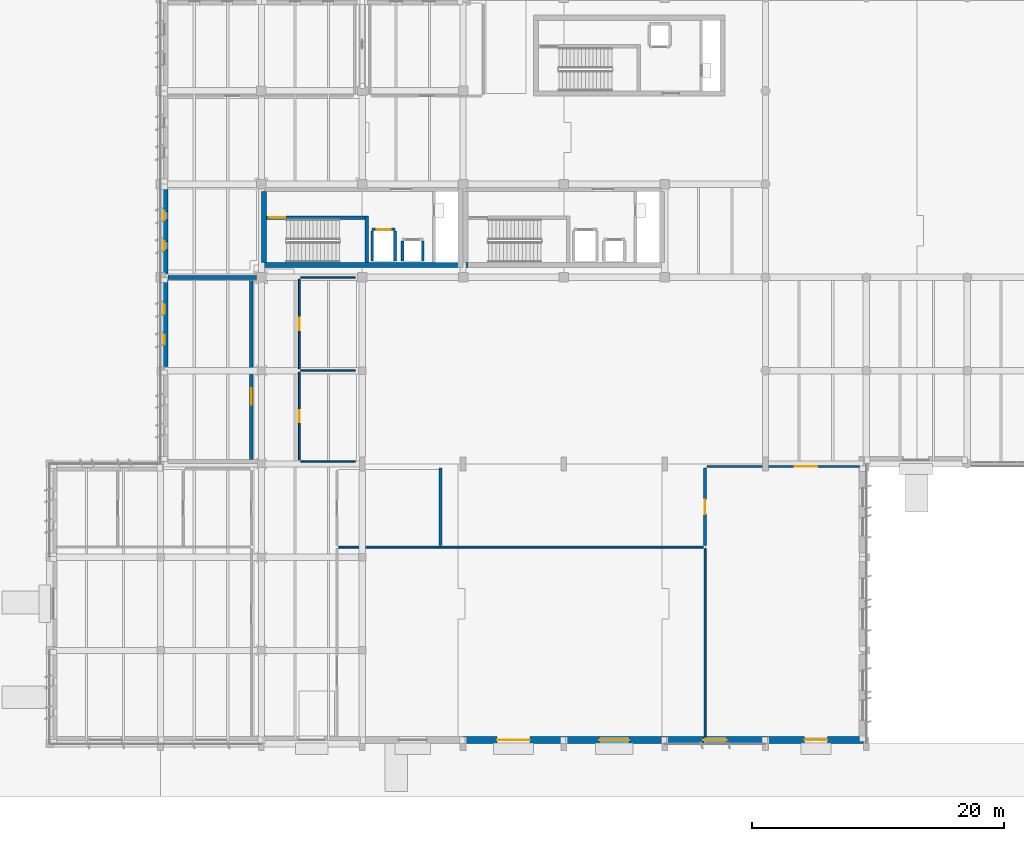
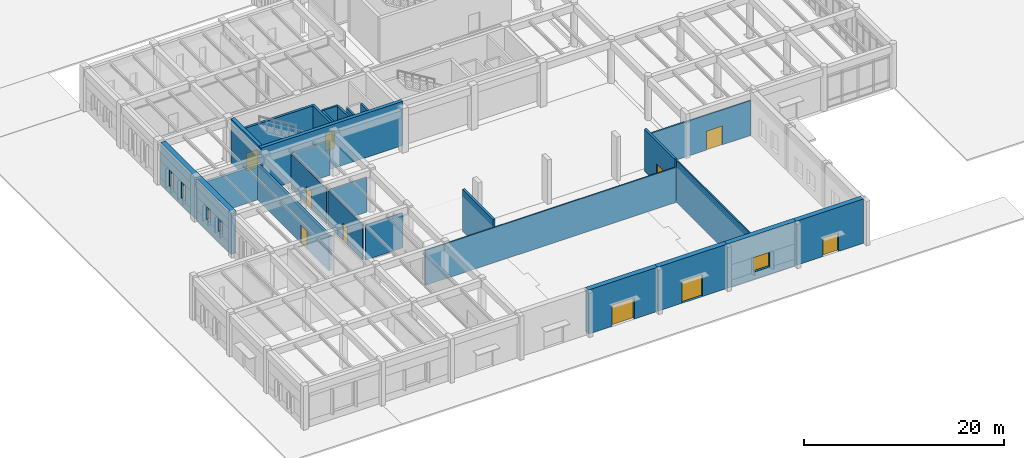
# One storey, part 17 of 56: 27 walls, 10 doors, 5 windows, 15 openings.
"""IFC4 building model written with IfcOpenShell, lengths in metres."""

from ifc_helpers import new_model, si_unit, direction, frame, frame_2d, origin, place, context, subcontext, project, spatial, rectangle, extrude, material, layer, layer_set, type_object, element, fill, save


model = new_model("IFC4")

# Units and contexts
model_context = context("Model", 3, precision=1e-05, world=origin(), true_north=direction((0.0, 1.0)))
body_context = subcontext(model_context, "Body", "Model", "MODEL_VIEW")
ifc_project = project(units=[si_unit("LENGTHUNIT", "METRE"), si_unit("AREAUNIT", "SQUARE_METRE"), si_unit("VOLUMEUNIT", "CUBIC_METRE"), si_unit("PLANEANGLEUNIT", "RADIAN"), si_unit("MASSUNIT", "GRAM", prefix="KILO")], contexts=[model_context])

# Site, building, storey
site_placement = place(None, origin())
site = spatial("IfcSite", under=ifc_project, at=site_placement, CompositionType="ELEMENT")
building_placement = place(site_placement, origin())
building = spatial("IfcBuilding", under=site, at=building_placement, Name="Valkorina Park Police Headquarters", CompositionType="ELEMENT")
storey_placement = place(building_placement, origin())
storey = spatial("IfcBuildingStorey", under=building, at=storey_placement, Name="L01", CompositionType="ELEMENT", Elevation=0.0)

# Walls
ifc_material_1 = material(Name="Acoustic mineral board")
ifc_layer_1 = layer(ifc_material_1, 0.14990234375)
ifc_layer_set_1 = layer_set([ifc_layer_1], Name="Acoustic mineral board")
wall_type_1 = type_object("IfcWallType", Name="WL-ACOUST-150-EI30", PredefinedType="PARTITIONING", material=ifc_layer_set_1)
wall_1_placement = place(storey_placement, frame((22.93994140625, 15.60009765625, 0.0), z_axis=(0.0, 0.0, 1.0), x_axis=(1.0, 0.0, 0.0)))
element("IfcWall", 1, at=wall_1_placement, inside=storey, type_object=wall_type_1, Name="L01 Interior Partition 0045 (L01-PUB-01)", PredefinedType="PARTITIONING", context=body_context, shape_type="SweptSolid", body=[
    extrude(rectangle(XDim=28.920166015625, YDim=0.14990234375, at=frame_2d((14.4599609375, 0.0))), origin(), (0.0, 0.0, 1.0), 4.27001953125),
])
wall_2_placement = place(storey_placement, frame((52.0, 0.5400390625, 0.0), z_axis=(0.0, 0.0, 1.0), x_axis=(0.0, 1.0, 0.0)))
element("IfcWall", 2, at=wall_2_placement, inside=storey, type_object=wall_type_1, Name="L01 Interior Partition 0047 (L01-PUB-01)", PredefinedType="PARTITIONING", context=body_context, shape_type="SweptSolid", body=[
    extrude(rectangle(XDim=14.919921875, YDim=0.14990234375, at=frame_2d((7.4599609375, 0.0))), origin(), (0.0, 0.0, 1.0), 5.139892578125),
])

# Wall, opening, door
ifc_layer_2 = layer(ifc_material_1, 0.175048828125)
ifc_layer_set_2 = layer_set([ifc_layer_2], Name="Acoustic mineral board")
wall_type_2 = type_object("IfcWallType", Name="WL-BRIEF-175-EI60", PredefinedType="PARTITIONING", material=ifc_layer_set_2)
wall_3_placement = place(storey_placement, frame((52.139892578125, 22.0, 0.0), z_axis=(0.0, 0.0, 1.0), x_axis=(1.0, 0.0, 0.0)))
wall_3 = element("IfcWall", 3, at=wall_3_placement, inside=storey, type_object=wall_type_2, Name="L01 Interior Partition 0050 (L01-PUB-03)", PredefinedType="PARTITIONING", context=body_context, shape_type="SweptSolid", body=[
    extrude(rectangle(XDim=12.1201171875, YDim=0.175048828125, at=frame_2d((6.06005859375, 0.0))), origin(), (0.0, 0.0, 1.0), 4.27001953125),
])
opening_1_placement = place(wall_3_placement, frame((6.97802734375, 0.0, 0.0)))
opening_1 = element("IfcOpeningElement", 4, at=opening_1_placement, cuts=wall_3, Name="Opening ID-09", PredefinedType="OPENING", context=body_context, shape_type="SweptSolid", body=[
    extrude(rectangle(XDim=1.800048828125, YDim=2.300048828125, at=frame_2d((0.89990234375, 1.14990234375))), frame((0.0, 0.09765625, 0.0), z_axis=(0.0, -1.0, 0.0), x_axis=(1.0, 0.0, 0.0)), (0.0, 0.0, 1.0), 0.195068359375),
])
ifc_material_2 = material(Name="Thermally broken aluminium AW-6060", Category="aluminium")
ifc_layer_3 = layer(ifc_material_2, 0.050048828125)
ifc_layer_set_3 = layer_set([ifc_layer_3], Name="Thermally broken aluminium AW-6060")
door_type_1 = type_object("IfcDoorType", Name="DR-INT-AUD-1800x2300", OperationType="NOTDEFINED", PredefinedType="DOOR", material=ifc_layer_set_3)
door_1_placement = place(opening_1_placement, origin())
door_1 = element("IfcDoor", 5, at=door_1_placement, inside=storey, type_object=door_type_1, Name="Door D-L01-I020 (L01-PUB-03)", OperationType="DOUBLE_DOOR_SINGLE_SWING", OverallHeight=2.300048828125, OverallWidth=1.800048828125, PredefinedType="DOOR", context=body_context, shape_type="SweptSolid", body=[
    extrude(rectangle(XDim=1.800048828125, YDim=2.300048828125, at=frame_2d((0.89990234375, 1.14990234375))), frame((0.0, 0.02490234375, 0.0), z_axis=(0.0, -1.0, 0.0), x_axis=(1.0, 0.0, 0.0)), (0.0, 0.0, 1.0), 0.050048828125),
])
fill(opening_1, door_1)

ifc_material_3 = material(Name="Autoclaved aerated concrete masonry", Category="masonry")
ifc_layer_4 = layer(ifc_material_3, 0.219970703125)
ifc_layer_set_4 = layer_set([ifc_layer_4], Name="Autoclaved aerated concrete masonry")
wall_type_3 = type_object("IfcWallType", Name="WL-CHASE-220-EI60", PredefinedType="PLUMBINGWALL", material=ifc_layer_set_4)
wall_4_placement = place(storey_placement, frame((25.590087890625, 40.81005859375, 0.0), z_axis=(0.0, 0.0, 1.0), x_axis=(1.0, 0.0, 0.0)))
wall_4 = element("IfcWall", 6, at=wall_4_placement, inside=storey, type_object=wall_type_3, Name="Lift LF-01 L01 Shaft Front Wall", PredefinedType="PLUMBINGWALL", context=body_context, shape_type="SweptSolid", body=[
    extrude(rectangle(XDim=1.81982421875, YDim=0.219970703125, at=frame_2d((0.909912109375, 0.0))), origin(), (0.0, 0.0, 1.0), 5.139892578125),
])
opening_2_placement = place(wall_4_placement, frame((0.360107421875, 0.0, 0.0)))
opening_2 = element("IfcOpeningElement", 7, at=opening_2_placement, cuts=wall_4, Name="Opening LD-01", PredefinedType="OPENING", context=body_context, shape_type="SweptSolid", body=[
    extrude(rectangle(XDim=1.10009765625, YDim=2.199951171875, at=frame_2d((0.550048828125, 1.10009765625))), frame((0.0, 0.1201171875, 0.0), z_axis=(0.0, -1.0, 0.0), x_axis=(1.0, 0.0, 0.0)), (0.0, 0.0, 1.0), 0.239990234375),
])
ifc_material_4 = material(Name="Stainless steel EN 1.4404", Category="steel")
ifc_layer_5 = layer(ifc_material_4, 0.050048828125)
ifc_layer_set_5 = layer_set([ifc_layer_5], Name="Stainless steel EN 1.4404")
door_type_2 = type_object("IfcDoorType", Name="DR-LIFT-FF-1100x2200", OperationType="NOTDEFINED", PredefinedType="DOOR", material=ifc_layer_set_5)
door_2_placement = place(opening_2_placement, origin())
door_2 = element("IfcDoor", 8, at=door_2_placement, inside=storey, type_object=door_type_2, Name="Lift Landing Door LF-01-L01", OperationType="DOUBLE_DOOR_SLIDING", OverallHeight=2.199951171875, OverallWidth=1.10009765625, PredefinedType="DOOR", context=body_context, shape_type="SweptSolid", body=[
    extrude(rectangle(XDim=1.10009765625, YDim=2.199951171875, at=frame_2d((0.550048828125, 1.10009765625))), frame((0.0, 0.02490234375, 0.0), z_axis=(0.0, -1.0, 0.0), x_axis=(1.0, 0.0, 0.0)), (0.0, 0.0, 1.0), 0.050048828125),
])
fill(opening_2, door_2)

# Walls
for number, where, z_axis, x_axis, name in (
    (9, (25.590087890625, 38.300048828125, 0.0), (0.0, 0.0, 1.0), (0.0, 1.0, 0.0), "Lift LF-01 L01 Shaft Side Wall W"),
    (10, (27.409912109375, 38.300048828125, 0.0), (0.0, 0.0, 1.0), (0.0, 1.0, 0.0), "Lift LF-01 L01 Shaft Side Wall E"),
):
    element("IfcWall", number, at=place(storey_placement, frame(where, z_axis=z_axis, x_axis=x_axis)), inside=storey, type_object=wall_type_3, Name=name, PredefinedType="PLUMBINGWALL", context=body_context, shape_type="SweptSolid", body=[
        extrude(rectangle(XDim=2.39990234375, YDim=0.219970703125, at=frame_2d((1.199951171875, 0.0))), origin(), (0.0, 0.0, 1.0), 5.139892578125),
    ])
for number, where, z_axis, x_axis, name in (
    (11, (27.989990234375, 38.300048828125, 0.0), (0.0, 0.0, 1.0), (0.0, 1.0, 0.0), "Lift LF-03 L01 Shaft Side Wall W"),
    (12, (29.610107421875, 38.300048828125, 0.0), (0.0, 0.0, 1.0), (0.0, 1.0, 0.0), "Lift LF-03 L01 Shaft Side Wall E"),
):
    element("IfcWall", number, at=place(storey_placement, frame(where, z_axis=z_axis, x_axis=x_axis)), inside=storey, type_object=wall_type_3, Name=name, PredefinedType="PLUMBINGWALL", context=body_context, shape_type="SweptSolid", body=[
        extrude(rectangle(XDim=1.599853515625, YDim=0.219970703125, at=frame_2d((0.7998046875, 0.0))), origin(), (0.0, 0.0, 1.0), 5.139892578125),
    ])
ifc_material_5 = material(Name="Concrete C40/50", Category="concrete")
ifc_layer_6 = layer(ifc_material_5, 0.300048828125)
ifc_layer_set_6 = layer_set([ifc_layer_6], Name="Concrete C40/50")
wall_type_4 = type_object("IfcWallType", Name="WL-CORE-300-REI120", PredefinedType="SHEAR", material=ifc_layer_set_6)
wall_5_placement = place(storey_placement, frame((9.3798828125, 37.0, 0.0), z_axis=(0.0, 0.0, 1.0), x_axis=(1.0, 0.0, 0.0)))
element("IfcWall", 13, at=wall_5_placement, inside=storey, type_object=wall_type_4, Name="L01 Interior Partition 0062 (L01-FCC-01)", PredefinedType="SHEAR", context=body_context, shape_type="SweptSolid", body=[
    extrude(rectangle(XDim=7.044921875, YDim=0.300048828125, at=frame_2d((3.5224609375, 0.0))), origin(), (0.0, 0.0, 1.0), 4.27001953125),
])

# Wall, opening, door
wall_6_placement = place(storey_placement, frame((16.0, 22.550048828125, 0.0), z_axis=(0.0, 0.0, 1.0), x_axis=(0.0, 1.0, 0.0)))
wall_6 = element("IfcWall", 14, at=wall_6_placement, inside=storey, type_object=wall_type_4, Name="L01 Interior Partition 0063 (L01-FCC-01)", PredefinedType="SHEAR", context=body_context, shape_type="SweptSolid", body=[
    extrude(rectangle(XDim=14.300048828125, YDim=0.300048828125, at=frame_2d((7.14990234375, 0.0))), origin(), (0.0, 0.0, 1.0), 4.27001953125),
])
opening_3_placement = place(wall_6_placement, frame((4.35205078125, 0.0, 0.0)))
opening_3 = element("IfcOpeningElement", 15, at=opening_3_placement, cuts=wall_6, Name="Opening FD-03", PredefinedType="OPENING", context=body_context, shape_type="SweptSolid", body=[
    extrude(rectangle(XDim=1.300048828125, YDim=2.199951171875, at=frame_2d((0.64990234375, 1.10009765625))), frame((0.0, 0.16015625, 0.0), z_axis=(0.0, -1.0, 0.0), x_axis=(1.0, 0.0, 0.0)), (0.0, 0.0, 1.0), 0.320068359375),
])
ifc_material_6 = material(Name="Galvanized steel door leaf", Category="steel")
ifc_layer_7 = layer(ifc_material_6, 0.050048828125)
ifc_layer_set_7 = layer_set([ifc_layer_7], Name="Galvanized steel door leaf")
door_type_3 = type_object("IfcDoorType", Name="DR-FIRE-STAIR-1300x2200", OperationType="NOTDEFINED", PredefinedType="DOOR", material=ifc_layer_set_7)
door_3_placement = place(opening_3_placement, origin())
door_3 = element("IfcDoor", 16, at=door_3_placement, inside=storey, type_object=door_type_3, Name="Door D-L01-I027 (L01-FCC-01)", OperationType="SINGLE_SWING_RIGHT", OverallHeight=2.199951171875, OverallWidth=1.300048828125, PredefinedType="DOOR", context=body_context, shape_type="SweptSolid", body=[
    extrude(rectangle(XDim=1.300048828125, YDim=2.199951171875, at=frame_2d((0.64990234375, 1.10009765625))), frame((0.0, 0.02490234375, 0.0), z_axis=(0.0, -1.0, 0.0), x_axis=(1.0, 0.0, 0.0)), (0.0, 0.0, 1.0), 0.050048828125),
])
fill(opening_3, door_3)

# Walls
ifc_layer_8 = layer(ifc_material_5, 0.39990234375)
ifc_layer_set_8 = layer_set([ifc_layer_8], Name="Concrete C40/50")
wall_type_5 = type_object("IfcWallType", Name="WL-CORE-400-REI180", PredefinedType="SHEAR", material=ifc_layer_set_8)
wall_7_placement = place(storey_placement, frame((16.800048828125, 38.0, 0.0), z_axis=(0.0, 0.0, 1.0), x_axis=(1.0, 0.0, 0.0)))
element("IfcWall", 17, at=wall_7_placement, inside=storey, type_object=wall_type_5, Name="Core C1 L01 Shear Wall S", PredefinedType="SHEAR", context=body_context, shape_type="SweptSolid", body=[
    extrude(rectangle(XDim=16.39990234375, YDim=0.39990234375, at=frame_2d((8.199951171875, 0.0))), origin(), (0.0, 0.0, 1.0), 5.39501953125),
])
wall_8_placement = place(storey_placement, frame((17.0, 38.199951171875, 0.0), z_axis=(0.0, 0.0, 1.0), x_axis=(0.0, 1.0, 0.0)))
element("IfcWall", 18, at=wall_8_placement, inside=storey, type_object=wall_type_5, Name="Core C1 L01 Shear Wall W", PredefinedType="SHEAR", context=body_context, shape_type="SweptSolid", body=[
    extrude(rectangle(XDim=5.60009765625, YDim=0.39990234375, at=frame_2d((2.800048828125, 0.0))), origin(), (0.0, 0.0, 1.0), 5.39501953125),
])
ifc_layer_9 = layer(ifc_material_5, 0.25)
ifc_layer_set_9 = layer_set([ifc_layer_9], Name="Concrete C40/50")
wall_type_6 = type_object("IfcWallType", Name="WL-CUST-250-REI120", PredefinedType="SOLIDWALL", material=ifc_layer_set_9)
wall_9_placement = place(storey_placement, frame((31.0, 15.739990234375, 0.0), z_axis=(0.0, 0.0, 1.0), x_axis=(0.0, 1.0, 0.0)))
element("IfcWall", 19, at=wall_9_placement, inside=storey, type_object=wall_type_6, Name="L01 Interior Partition 0048 (L01-PUB-02)", PredefinedType="SOLIDWALL", context=body_context, shape_type="SweptSolid", body=[
    extrude(rectangle(XDim=6.1201171875, YDim=0.25, at=frame_2d((3.06005859375, 0.0))), origin(), (0.0, 0.0, 1.0), 5.139892578125),
])

# Wall, opening, door
wall_10_placement = place(storey_placement, frame((52.0, 15.739990234375, 0.0), z_axis=(0.0, 0.0, 1.0), x_axis=(0.0, 1.0, 0.0)))
wall_10 = element("IfcWall", 20, at=wall_10_placement, inside=storey, type_object=wall_type_6, Name="L01 Interior Partition 0049 (L01-PUB-02)", PredefinedType="SOLIDWALL", context=body_context, shape_type="SweptSolid", body=[
    extrude(rectangle(XDim=6.1201171875, YDim=0.25, at=frame_2d((3.06005859375, 0.0))), origin(), (0.0, 0.0, 1.0), 5.139892578125),
])
opening_4_placement = place(wall_10_placement, frame((2.485107421875, 0.0, 0.0)))
opening_4 = element("IfcOpeningElement", 21, at=opening_4_placement, cuts=wall_10, Name="Opening FD-10", PredefinedType="OPENING", context=body_context, shape_type="SweptSolid", body=[
    extrude(rectangle(XDim=1.14990234375, YDim=2.35009765625, at=frame_2d((0.574951171875, 1.175048828125))), frame((0.0, 0.135009765625, 0.0), z_axis=(0.0, -1.0, 0.0), x_axis=(1.0, 0.0, 0.0)), (0.0, 0.0, 1.0), 0.27001953125),
])
ifc_material_7 = material(Name="Ballistic laminated glazing BR4-NS", Category="glass")
ifc_layer_10 = layer(ifc_material_7, 0.050048828125)
ifc_layer_set_10 = layer_set([ifc_layer_10], Name="Ballistic laminated glazing BR4-NS")
door_type_4 = type_object("IfcDoorType", Name="DR-BALLISTIC-1150x2350", OperationType="NOTDEFINED", PredefinedType="DOOR", material=ifc_layer_set_10)
door_4_placement = place(opening_4_placement, origin())
door_4 = element("IfcDoor", 22, at=door_4_placement, inside=storey, type_object=door_type_4, Name="Door D-L01-I019 (L01-PUB-02)", OperationType="SINGLE_SWING_RIGHT", OverallHeight=2.35009765625, OverallWidth=1.14990234375, PredefinedType="DOOR", context=body_context, shape_type="SweptSolid", body=[
    extrude(rectangle(XDim=1.14990234375, YDim=2.35009765625, at=frame_2d((0.574951171875, 1.175048828125))), frame((0.0, 0.02490234375, 0.0), z_axis=(0.0, -1.0, 0.0), x_axis=(1.0, 0.0, 0.0)), (0.0, 0.0, 1.0), 0.050048828125),
])
fill(opening_4, door_4)

# Wall, openings, windows
ifc_material_8 = material(Name="Concrete C35/45", Category="concrete")
ifc_layer_11 = layer(ifc_material_8, 0.580078125)
ifc_layer_set_11 = layer_set([ifc_layer_11], Name="Concrete C35/45")
wall_type_7 = type_object("IfcWallType", Name="WL-EXT-BOARD-580", PredefinedType="STANDARD", material=ifc_layer_set_11)
wall_11_placement = place(storey_placement, frame((9.090087890625, 29.909912109375, 0.0), z_axis=(0.0, 0.0, 1.0), x_axis=(0.0, 1.0, 0.0)))
wall_11 = element("IfcWall", 23, at=wall_11_placement, inside=storey, type_object=wall_type_7, Name="L01 Architectural Concrete Exterior Wall 0006", PredefinedType="STANDARD", context=body_context, shape_type="SweptSolid", body=[
    extrude(rectangle(XDim=7.239990234375, YDim=0.580078125, at=frame_2d((3.6201171875, 0.0))), origin(), (0.0, 0.0, 1.0), 5.139892578125),
])
opening_5_placement = place(wall_11_placement, frame((1.795654296875, 0.0, 1.35009765625)))
opening_5 = element("IfcOpeningElement", 24, at=opening_5_placement, cuts=wall_11, Name="Opening WN-07", PredefinedType="OPENING", context=body_context, shape_type="SweptSolid", body=[
    extrude(rectangle(XDim=0.699951171875, YDim=1.60009765625, at=frame_2d((0.35009765625, 0.800048828125))), frame((0.0, 0.300048828125, 0.0), z_axis=(0.0, -1.0, 0.0), x_axis=(1.0, 0.0, 0.0)), (0.0, 0.0, 1.0), 0.60009765625),
])
opening_6_placement = place(wall_11_placement, frame((4.20947265625, 0.0, 1.35009765625)))
opening_6 = element("IfcOpeningElement", 25, at=opening_6_placement, cuts=wall_11, Name="Opening WN-07", PredefinedType="OPENING", context=body_context, shape_type="SweptSolid", body=[
    extrude(rectangle(XDim=0.699951171875, YDim=1.60009765625, at=frame_2d((0.35009765625, 0.800048828125))), frame((0.0, 0.300048828125, 0.0), z_axis=(0.0, -1.0, 0.0), x_axis=(1.0, 0.0, 0.0)), (0.0, 0.0, 1.0), 0.60009765625),
])
ifc_material_9 = material(Name="Triple low-E insulated glazing", Category="glass")
ifc_layer_12 = layer(ifc_material_9, 0.06005859375)
ifc_layer_set_12 = layer_set([ifc_layer_12], Name="Triple low-E insulated glazing")
window_type_1 = type_object("IfcWindowType", Name="WN-SLOT-700x1600", PartitioningType="SINGLE_PANEL", PredefinedType="WINDOW", material=ifc_layer_set_12)
window_1_placement = place(opening_5_placement, origin())
window_1 = element("IfcWindow", 26, at=window_1_placement, inside=storey, type_object=window_type_1, Name="Window L01-0009", OverallHeight=1.60009765625, OverallWidth=0.699951171875, PartitioningType="SINGLE_PANEL", PredefinedType="WINDOW", context=body_context, shape_type="SweptSolid", body=[
    extrude(rectangle(XDim=0.699951171875, YDim=1.60009765625, at=frame_2d((0.35009765625, 0.800048828125))), frame((0.0, 0.030029296875, 0.0), z_axis=(0.0, -1.0, 0.0), x_axis=(1.0, 0.0, 0.0)), (0.0, 0.0, 1.0), 0.06005859375),
])
fill(opening_5, window_1)
window_2_placement = place(opening_6_placement, origin())
window_2 = element("IfcWindow", 27, at=window_2_placement, inside=storey, type_object=window_type_1, Name="Window L01-0010", OverallHeight=1.60009765625, OverallWidth=0.699951171875, PartitioningType="SINGLE_PANEL", PredefinedType="WINDOW", context=body_context, shape_type="SweptSolid", body=[
    extrude(rectangle(XDim=0.699951171875, YDim=1.60009765625, at=frame_2d((0.35009765625, 0.800048828125))), frame((0.0, 0.030029296875, 0.0), z_axis=(0.0, -1.0, 0.0), x_axis=(1.0, 0.0, 0.0)), (0.0, 0.0, 1.0), 0.06005859375),
])
fill(opening_6, window_2)

wall_12_placement = place(storey_placement, frame((9.090087890625, 36.85009765625, 0.0), z_axis=(0.0, 0.0, 1.0), x_axis=(0.0, 1.0, 0.0)))
wall_12 = element("IfcWall", 28, at=wall_12_placement, inside=storey, type_object=wall_type_7, Name="L01 Architectural Concrete Exterior Wall 0007", PredefinedType="STANDARD", context=body_context, shape_type="SweptSolid", body=[
    extrude(rectangle(XDim=7.164794921875, YDim=0.580078125, at=frame_2d((3.58251953125, 0.0))), origin(), (0.0, 0.0, 1.0), 5.139892578125),
])
opening_7_placement = place(wall_12_placement, frame((2.306640625, 0.0, 0.89990234375)))
opening_7 = element("IfcOpeningElement", 29, at=opening_7_placement, cuts=wall_12, Name="Opening WN-08", PredefinedType="OPENING", context=body_context, shape_type="SweptSolid", body=[
    extrude(rectangle(XDim=0.699951171875, YDim=2.0, at=frame_2d((0.35009765625, 1.0))), frame((0.0, 0.300048828125, 0.0), z_axis=(0.0, -1.0, 0.0), x_axis=(1.0, 0.0, 0.0)), (0.0, 0.0, 1.0), 0.60009765625),
])
opening_8_placement = place(wall_12_placement, frame((4.693359375, 0.0, 0.89990234375)))
opening_8 = element("IfcOpeningElement", 30, at=opening_8_placement, cuts=wall_12, Name="Opening WN-08", PredefinedType="OPENING", context=body_context, shape_type="SweptSolid", body=[
    extrude(rectangle(XDim=0.699951171875, YDim=2.0, at=frame_2d((0.35009765625, 1.0))), frame((0.0, 0.300048828125, 0.0), z_axis=(0.0, -1.0, 0.0), x_axis=(1.0, 0.0, 0.0)), (0.0, 0.0, 1.0), 0.60009765625),
])
ifc_layer_13 = layer(ifc_material_9, 0.06005859375)
ifc_layer_set_13 = layer_set([ifc_layer_13], Name="Triple low-E insulated glazing")
window_type_2 = type_object("IfcWindowType", Name="WN-SLOT-700x2000", PartitioningType="SINGLE_PANEL", PredefinedType="WINDOW", material=ifc_layer_set_13)
window_3_placement = place(opening_7_placement, origin())
window_3 = element("IfcWindow", 31, at=window_3_placement, inside=storey, type_object=window_type_2, Name="Window L01-0011", OverallHeight=2.0, OverallWidth=0.699951171875, PartitioningType="SINGLE_PANEL", PredefinedType="WINDOW", context=body_context, shape_type="SweptSolid", body=[
    extrude(rectangle(XDim=0.699951171875, YDim=2.0, at=frame_2d((0.35009765625, 1.0))), frame((0.0, 0.030029296875, 0.0), z_axis=(0.0, -1.0, 0.0), x_axis=(1.0, 0.0, 0.0)), (0.0, 0.0, 1.0), 0.06005859375),
])
fill(opening_7, window_3)
window_4_placement = place(opening_8_placement, origin())
window_4 = element("IfcWindow", 32, at=window_4_placement, inside=storey, type_object=window_type_2, Name="Window L01-0012", OverallHeight=2.0, OverallWidth=0.699951171875, PartitioningType="SINGLE_PANEL", PredefinedType="WINDOW", context=body_context, shape_type="SweptSolid", body=[
    extrude(rectangle(XDim=0.699951171875, YDim=2.0, at=frame_2d((0.35009765625, 1.0))), frame((0.0, 0.030029296875, 0.0), z_axis=(0.0, -1.0, 0.0), x_axis=(1.0, 0.0, 0.0)), (0.0, 0.0, 1.0), 0.06005859375),
])
fill(opening_8, window_4)

# Wall, opening, door
wall_13_placement = place(storey_placement, frame((64.56494140625, 0.2900390625, 0.0), z_axis=(0.0, 0.0, 1.0), x_axis=(-1.0, 0.0, 0.0)))
wall_13 = element("IfcWall", 33, at=wall_13_placement, inside=storey, type_object=wall_type_7, Name="L01 Architectural Concrete Exterior Wall 0087", PredefinedType="STANDARD", context=body_context, shape_type="SweptSolid", body=[
    extrude(rectangle(XDim=7.764892578125, YDim=0.580078125, at=frame_2d((3.88232421875, 0.0))), origin(), (0.0, 0.0, 1.0), 5.39990234375),
])
opening_9_placement = place(wall_13_placement, frame((2.864990234375, 0.0, 0.0)))
opening_9 = element("IfcOpeningElement", 34, at=opening_9_placement, cuts=wall_13, Name="Opening ED-01", PredefinedType="OPENING", context=body_context, shape_type="SweptSolid", body=[
    extrude(rectangle(XDim=1.800048828125, YDim=2.25, at=frame_2d((0.89990234375, 1.125))), frame((0.0, 0.300048828125, 0.0), z_axis=(0.0, -1.0, 0.0), x_axis=(1.0, 0.0, 0.0)), (0.0, 0.0, 1.0), 0.60009765625),
])
ifc_layer_14 = layer(ifc_material_2, 0.050048828125)
ifc_layer_set_14 = layer_set([ifc_layer_14], Name="Thermally broken aluminium AW-6060")
door_type_5 = type_object("IfcDoorType", Name="DR-EXT-EXIT-1800x2250", OperationType="NOTDEFINED", PredefinedType="DOOR", material=ifc_layer_set_14)
door_5_placement = place(opening_9_placement, origin())
door_5 = element("IfcDoor", 35, at=door_5_placement, inside=storey, type_object=door_type_5, Name="Door D-L01-015 (Final Pedestrian Exit)", OperationType="DOUBLE_DOOR_SINGLE_SWING", OverallHeight=2.25, OverallWidth=1.800048828125, PredefinedType="DOOR", context=body_context, shape_type="SweptSolid", body=[
    extrude(rectangle(XDim=1.800048828125, YDim=2.25, at=frame_2d((0.89990234375, 1.125))), frame((0.0, 0.02490234375, 0.0), z_axis=(0.0, -1.0, 0.0), x_axis=(1.0, 0.0, 0.0)), (0.0, 0.0, 1.0), 0.050048828125),
])
fill(opening_9, door_5)

# Wall, opening, window
wall_14_placement = place(storey_placement, frame((56.800048828125, 0.2900390625, 0.0), z_axis=(0.0, 0.0, 1.0), x_axis=(-1.0, 0.0, 0.0)))
wall_14 = element("IfcWall", 36, at=wall_14_placement, inside=storey, type_object=wall_type_7, Name="L01 Architectural Concrete Exterior Wall 0088", PredefinedType="STANDARD", context=body_context, shape_type="SweptSolid", body=[
    extrude(rectangle(XDim=8.0, YDim=0.580078125, at=frame_2d((4.0, 0.0))), origin(), (0.0, 0.0, 1.0), 5.39990234375),
])
opening_10_placement = place(wall_14_placement, frame((3.074951171875, 0.0, 0.89990234375)))
opening_10 = element("IfcOpeningElement", 37, at=opening_10_placement, cuts=wall_14, Name="Opening WN-29", PredefinedType="OPENING", context=body_context, shape_type="SweptSolid", body=[
    extrude(rectangle(XDim=1.85009765625, YDim=1.800048828125, at=frame_2d((0.925048828125, 0.89990234375))), frame((0.0, 0.300048828125, 0.0), z_axis=(0.0, -1.0, 0.0), x_axis=(1.0, 0.0, 0.0)), (0.0, 0.0, 1.0), 0.60009765625),
])
ifc_layer_15 = layer(ifc_material_9, 0.06005859375)
ifc_layer_set_15 = layer_set([ifc_layer_15], Name="Triple low-E insulated glazing")
window_type_3 = type_object("IfcWindowType", Name="WN-OFF-1850x1800", PartitioningType="SINGLE_PANEL", PredefinedType="WINDOW", material=ifc_layer_set_15)
window_5_placement = place(opening_10_placement, origin())
window_5 = element("IfcWindow", 38, at=window_5_placement, inside=storey, type_object=window_type_3, Name="Window L01-0139", OverallHeight=1.800048828125, OverallWidth=1.85009765625, PartitioningType="SINGLE_PANEL", PredefinedType="WINDOW", context=body_context, shape_type="SweptSolid", body=[
    extrude(rectangle(XDim=1.85009765625, YDim=1.800048828125, at=frame_2d((0.925048828125, 0.89990234375))), frame((0.0, 0.030029296875, 0.0), z_axis=(0.0, -1.0, 0.0), x_axis=(1.0, 0.0, 0.0)), (0.0, 0.0, 1.0), 0.06005859375),
])
fill(opening_10, window_5)

# Wall, opening, door
wall_15_placement = place(storey_placement, frame((48.800048828125, 0.2900390625, 0.0), z_axis=(0.0, 0.0, 1.0), x_axis=(-1.0, 0.0, 0.0)))
wall_15 = element("IfcWall", 39, at=wall_15_placement, inside=storey, type_object=wall_type_7, Name="L01 Architectural Concrete Exterior Wall 0089", PredefinedType="STANDARD", context=body_context, shape_type="SweptSolid", body=[
    extrude(rectangle(XDim=8.0, YDim=0.580078125, at=frame_2d((4.0, 0.0))), origin(), (0.0, 0.0, 1.0), 5.39990234375),
])
opening_11_placement = place(wall_15_placement, frame((2.800048828125, 0.0, 0.0)))
opening_11 = element("IfcOpeningElement", 40, at=opening_11_placement, cuts=wall_15, Name="Opening ED-03", PredefinedType="OPENING", context=body_context, shape_type="SweptSolid", body=[
    extrude(rectangle(XDim=2.39990234375, YDim=2.699951171875, at=frame_2d((1.199951171875, 1.35009765625))), frame((0.0, 0.300048828125, 0.0), z_axis=(0.0, -1.0, 0.0), x_axis=(1.0, 0.0, 0.0)), (0.0, 0.0, 1.0), 0.60009765625),
])
ifc_layer_16 = layer(ifc_material_2, 0.050048828125)
ifc_layer_set_16 = layer_set([ifc_layer_16], Name="Thermally broken aluminium AW-6060")
door_type_6 = type_object("IfcDoorType", Name="DR-EXT-MAIN-2400x2700", OperationType="NOTDEFINED", PredefinedType="DOOR", material=ifc_layer_set_16)
door_6_placement = place(opening_11_placement, origin())
door_6 = element("IfcDoor", 41, at=door_6_placement, inside=storey, type_object=door_type_6, Name="Door D-L01-016 (Final Pedestrian Exit)", OperationType="DOUBLE_DOOR_SINGLE_SWING", OverallHeight=2.699951171875, OverallWidth=2.39990234375, PredefinedType="DOOR", context=body_context, shape_type="SweptSolid", body=[
    extrude(rectangle(XDim=2.39990234375, YDim=2.699951171875, at=frame_2d((1.199951171875, 1.35009765625))), frame((0.0, 0.02490234375, 0.0), z_axis=(0.0, -1.0, 0.0), x_axis=(1.0, 0.0, 0.0)), (0.0, 0.0, 1.0), 0.050048828125),
])
fill(opening_11, door_6)

wall_16_placement = place(storey_placement, frame((40.800048828125, 0.2900390625, 0.0), z_axis=(0.0, 0.0, 1.0), x_axis=(-1.0, 0.0, 0.0)))
wall_16 = element("IfcWall", 42, at=wall_16_placement, inside=storey, type_object=wall_type_7, Name="L01 Architectural Concrete Exterior Wall 0090", PredefinedType="STANDARD", context=body_context, shape_type="SweptSolid", body=[
    extrude(rectangle(XDim=8.0, YDim=0.580078125, at=frame_2d((4.0, 0.0))), origin(), (0.0, 0.0, 1.0), 5.39990234375),
])
opening_12_placement = place(wall_16_placement, frame((2.699951171875, 0.0, 0.0)))
opening_12 = element("IfcOpeningElement", 43, at=opening_12_placement, cuts=wall_16, Name="Opening ED-07", PredefinedType="OPENING", context=body_context, shape_type="SweptSolid", body=[
    extrude(rectangle(XDim=2.60009765625, YDim=2.60009765625, at=frame_2d((1.300048828125, 1.300048828125))), frame((0.0, 0.300048828125, 0.0), z_axis=(0.0, -1.0, 0.0), x_axis=(1.0, 0.0, 0.0)), (0.0, 0.0, 1.0), 0.60009765625),
])
ifc_layer_17 = layer(ifc_material_2, 0.050048828125)
ifc_layer_set_17 = layer_set([ifc_layer_17], Name="Thermally broken aluminium AW-6060")
door_type_7 = type_object("IfcDoorType", Name="DR-EXT-EXIT-2600x2600", OperationType="NOTDEFINED", PredefinedType="DOOR", material=ifc_layer_set_17)
door_7_placement = place(opening_12_placement, origin())
door_7 = element("IfcDoor", 44, at=door_7_placement, inside=storey, type_object=door_type_7, Name="Door D-L01-017 (Final Pedestrian Exit)", OperationType="DOUBLE_DOOR_SINGLE_SWING", OverallHeight=2.60009765625, OverallWidth=2.60009765625, PredefinedType="DOOR", context=body_context, shape_type="SweptSolid", body=[
    extrude(rectangle(XDim=2.60009765625, YDim=2.60009765625, at=frame_2d((1.300048828125, 1.300048828125))), frame((0.0, 0.02490234375, 0.0), z_axis=(0.0, -1.0, 0.0), x_axis=(1.0, 0.0, 0.0)), (0.0, 0.0, 1.0), 0.050048828125),
])
fill(opening_12, door_7)

# Walls
ifc_material_10 = material(Name="Gypsum plasterboard")
ifc_layer_18 = layer(ifc_material_10, 0.125)
ifc_layer_set_18 = layer_set([ifc_layer_18], Name="Gypsum plasterboard")
wall_type_8 = type_object("IfcWallType", Name="WL-PART-125-EI30", PredefinedType="PARTITIONING", material=ifc_layer_set_18)
for number, where, z_axis, x_axis, name in (
    (45, (19.93994140625, 22.39990234375, 0.0), (0.0, 0.0, 1.0), (1.0, 0.0, 0.0), "L01 Interior Partition 0057 (L01-PUB-08)"),
    (46, (19.93994140625, 29.60009765625, 0.0), (0.0, 0.0, 1.0), (1.0, 0.0, 0.0), "L01 Interior Partition 0058 (L01-PUB-08)"),
):
    element("IfcWall", number, at=place(storey_placement, frame(where, z_axis=z_axis, x_axis=x_axis)), inside=storey, type_object=wall_type_8, Name=name, PredefinedType="PARTITIONING", context=body_context, shape_type="SweptSolid", body=[
        extrude(rectangle(XDim=4.320068359375, YDim=0.125, at=frame_2d((2.16015625, 0.0))), origin(), (0.0, 0.0, 1.0), 4.27001953125),
    ])

# Wall, opening, door
wall_17_placement = place(storey_placement, frame((19.800048828125, 22.5400390625, 0.0), z_axis=(0.0, 0.0, 1.0), x_axis=(0.0, 1.0, 0.0)))
wall_17 = element("IfcWall", 47, at=wall_17_placement, inside=storey, type_object=wall_type_8, Name="L01 Interior Partition 0059 (L01-PUB-08)", PredefinedType="PARTITIONING", context=body_context, shape_type="SweptSolid", body=[
    extrude(rectangle(XDim=6.919921875, YDim=0.125, at=frame_2d((3.4599609375, 0.0))), origin(), (0.0, 0.0, 1.0), 4.27001953125),
])
opening_13_placement = place(wall_17_placement, frame((2.985107421875, 0.0, 0.0)))
opening_13 = element("IfcOpeningElement", 48, at=opening_13_placement, cuts=wall_17, Name="Opening ID-02", PredefinedType="OPENING", context=body_context, shape_type="SweptSolid", body=[
    extrude(rectangle(XDim=0.949951171875, YDim=2.10009765625, at=frame_2d((0.47509765625, 1.050048828125))), frame((0.0, 0.072509765625, 0.0), z_axis=(0.0, -1.0, 0.0), x_axis=(1.0, 0.0, 0.0)), (0.0, 0.0, 1.0), 0.14501953125),
])
ifc_layer_19 = layer(ifc_material_2, 0.050048828125)
ifc_layer_set_19 = layer_set([ifc_layer_19], Name="Thermally broken aluminium AW-6060")
door_type_8 = type_object("IfcDoorType", Name="DR-INT-WC-950x2100", OperationType="NOTDEFINED", PredefinedType="DOOR", material=ifc_layer_set_19)
door_8_placement = place(opening_13_placement, origin())
door_8 = element("IfcDoor", 49, at=door_8_placement, inside=storey, type_object=door_type_8, Name="Door D-L01-I025 (L01-PUB-08)", OperationType="SINGLE_SWING_RIGHT", OverallHeight=2.10009765625, OverallWidth=0.949951171875, PredefinedType="DOOR", context=body_context, shape_type="SweptSolid", body=[
    extrude(rectangle(XDim=0.949951171875, YDim=2.10009765625, at=frame_2d((0.47509765625, 1.050048828125))), frame((0.0, 0.02490234375, 0.0), z_axis=(0.0, -1.0, 0.0), x_axis=(1.0, 0.0, 0.0)), (0.0, 0.0, 1.0), 0.050048828125),
])
fill(opening_13, door_8)

# Wall
wall_18_placement = place(storey_placement, frame((19.93994140625, 37.0, 0.0), z_axis=(0.0, 0.0, 1.0), x_axis=(1.0, 0.0, 0.0)))
element("IfcWall", 50, at=wall_18_placement, inside=storey, type_object=wall_type_8, Name="L01 Interior Partition 0064 (L01-SEC-01)", PredefinedType="PARTITIONING", context=body_context, shape_type="SweptSolid", body=[
    extrude(rectangle(XDim=4.320068359375, YDim=0.125, at=frame_2d((2.16015625, 0.0))), origin(), (0.0, 0.0, 1.0), 4.27001953125),
])

# Wall, opening, door
wall_19_placement = place(storey_placement, frame((19.800048828125, 29.739990234375, 0.0), z_axis=(0.0, 0.0, 1.0), x_axis=(0.0, 1.0, 0.0)))
wall_19 = element("IfcWall", 51, at=wall_19_placement, inside=storey, type_object=wall_type_8, Name="L01 Interior Partition 0065 (L01-SEC-01)", PredefinedType="PARTITIONING", context=body_context, shape_type="SweptSolid", body=[
    extrude(rectangle(XDim=7.1201171875, YDim=0.125, at=frame_2d((3.56005859375, 0.0))), origin(), (0.0, 0.0, 1.0), 4.27001953125),
])
opening_14_placement = place(wall_19_placement, frame((3.06005859375, 0.0, 0.0)))
opening_14 = element("IfcOpeningElement", 52, at=opening_14_placement, cuts=wall_19, Name="Opening ID-04", PredefinedType="OPENING", context=body_context, shape_type="SweptSolid", body=[
    extrude(rectangle(XDim=1.0, YDim=2.199951171875, at=frame_2d((0.5, 1.10009765625))), frame((0.0, 0.072509765625, 0.0), z_axis=(0.0, -1.0, 0.0), x_axis=(1.0, 0.0, 0.0)), (0.0, 0.0, 1.0), 0.14501953125),
])
ifc_layer_20 = layer(ifc_material_2, 0.050048828125)
ifc_layer_set_20 = layer_set([ifc_layer_20], Name="Thermally broken aluminium AW-6060")
door_type_9 = type_object("IfcDoorType", Name="DR-INT-OFF-1000x2200", OperationType="NOTDEFINED", PredefinedType="DOOR", material=ifc_layer_set_20)
door_9_placement = place(opening_14_placement, origin())
door_9 = element("IfcDoor", 53, at=door_9_placement, inside=storey, type_object=door_type_9, Name="Door D-L01-I028 (L01-SEC-01)", OperationType="SINGLE_SWING_LEFT", OverallHeight=2.199951171875, OverallWidth=1.0, PredefinedType="DOOR", context=body_context, shape_type="SweptSolid", body=[
    extrude(rectangle(XDim=1.0, YDim=2.199951171875, at=frame_2d((0.5, 1.10009765625))), frame((0.0, 0.02490234375, 0.0), z_axis=(0.0, -1.0, 0.0), x_axis=(1.0, 0.0, 0.0)), (0.0, 0.0, 1.0), 0.050048828125),
])
fill(opening_14, door_9)

# Wall
ifc_layer_21 = layer(ifc_material_5, 0.280029296875)
ifc_layer_set_21 = layer_set([ifc_layer_21], Name="Concrete C40/50")
wall_type_9 = type_object("IfcWallType", Name="WL-STAIR-280-REI120", PredefinedType="SHEAR", material=ifc_layer_set_21)
wall_20_placement = place(storey_placement, frame((25.139892578125, 38.199951171875, 0.0), z_axis=(0.0, 0.0, 1.0), x_axis=(0.0, 1.0, 0.0)))
element("IfcWall", 54, at=wall_20_placement, inside=storey, type_object=wall_type_9, Name="Core C1 L01 Shear Wall DIV", PredefinedType="SHEAR", context=body_context, shape_type="SweptSolid", body=[
    extrude(rectangle(XDim=3.679931640625, YDim=0.280029296875, at=frame_2d((1.83984375, 0.0))), origin(), (0.0, 0.0, 1.0), 5.39501953125),
])

# Wall, opening, door
wall_21_placement = place(storey_placement, frame((17.199951171875, 41.739990234375, 0.0), z_axis=(0.0, 0.0, 1.0), x_axis=(1.0, 0.0, 0.0)))
wall_21 = element("IfcWall", 55, at=wall_21_placement, inside=storey, type_object=wall_type_9, Name="Core C1 L01 Shear Wall SIDE", PredefinedType="SHEAR", context=body_context, shape_type="SweptSolid", body=[
    extrude(rectangle(XDim=7.800048828125, YDim=0.280029296875, at=frame_2d((3.89990234375, 0.0))), origin(), (0.0, 0.0, 1.0), 5.39501953125),
])
opening_15_placement = place(wall_21_placement, frame((0.199951171875, 0.0, 0.0)))
opening_15 = element("IfcOpeningElement", 56, at=opening_15_placement, cuts=wall_21, Name="Opening FD-03", PredefinedType="OPENING", context=body_context, shape_type="SweptSolid", body=[
    extrude(rectangle(XDim=1.300048828125, YDim=2.199951171875, at=frame_2d((0.64990234375, 1.10009765625))), frame((0.0, 0.14990234375, 0.0), z_axis=(0.0, -1.0, 0.0), x_axis=(1.0, 0.0, 0.0)), (0.0, 0.0, 1.0), 0.300048828125),
])
door_10_placement = place(opening_15_placement, origin())
door_10 = element("IfcDoor", 57, at=door_10_placement, inside=storey, type_object=door_type_3, Name="Door D-L01-C006 (ST-01 Stair Fire Door)", OperationType="SINGLE_SWING_LEFT", OverallHeight=2.199951171875, OverallWidth=1.300048828125, PredefinedType="DOOR", context=body_context, shape_type="SweptSolid", body=[
    extrude(rectangle(XDim=1.300048828125, YDim=2.199951171875, at=frame_2d((0.64990234375, 1.10009765625))), frame((0.0, 0.02490234375, 0.0), z_axis=(0.0, -1.0, 0.0), x_axis=(1.0, 0.0, 0.0)), (0.0, 0.0, 1.0), 0.050048828125),
])
fill(opening_15, door_10)

save(model, "model.ifc")
